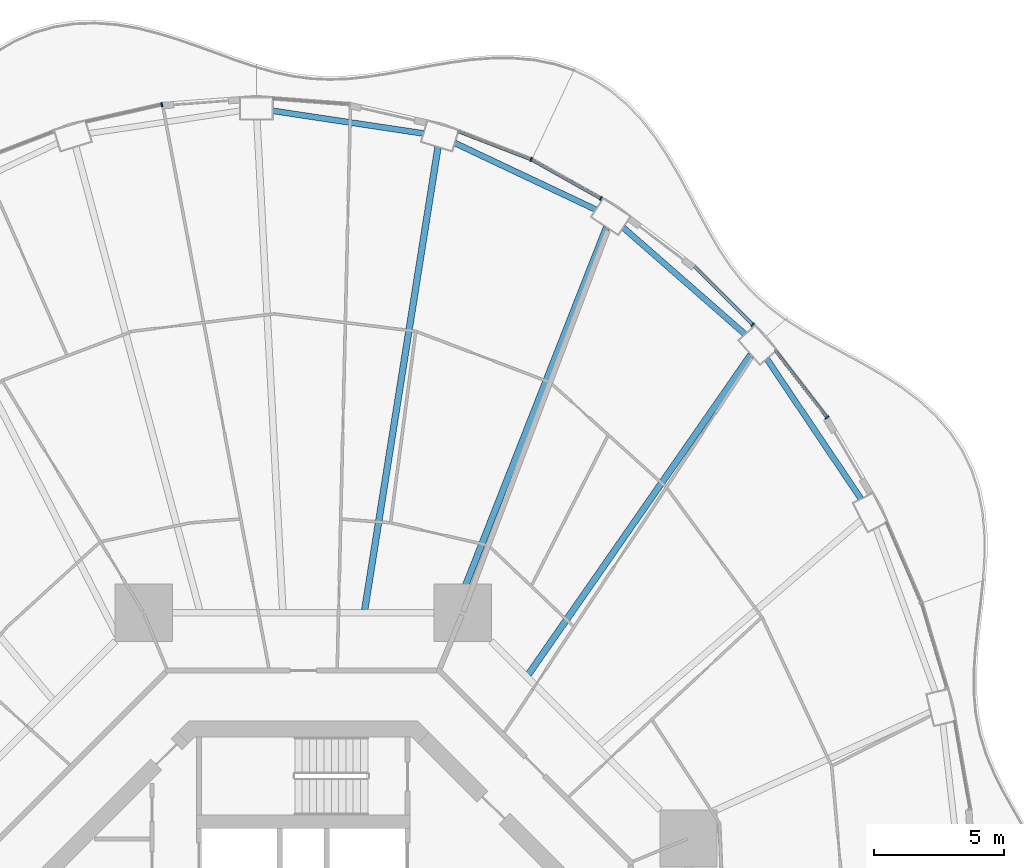
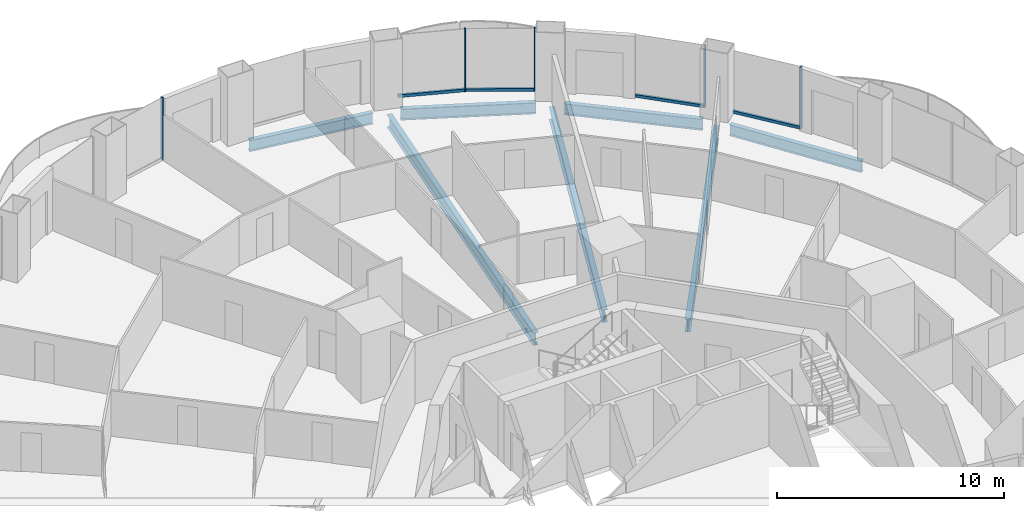
# One storey, part 11 of 23: 9 members, 7 beams, 5 elements without a shape of their own.
"""IFC4 building model written with IfcOpenShell, lengths in metres."""

from ifc_helpers import new_model, si_unit, direction, frame, origin, origin_2d, place, context, subcontext, project, spatial, rectangle, i_section, extrude, material, layer, layer_set, material_profile, profile_set, type_object, element, aggregate, save


model = new_model("IFC4")

# Units and contexts
model_context = context("Model", 3, precision=1e-05, world=origin(), true_north=direction((0.0, 1.0)))
body_context = subcontext(model_context, "Body", "Model", "MODEL_VIEW")
ifc_project = project(units=[si_unit("LENGTHUNIT", "METRE"), si_unit("AREAUNIT", "SQUARE_METRE"), si_unit("VOLUMEUNIT", "CUBIC_METRE"), si_unit("PLANEANGLEUNIT", "RADIAN"), si_unit("MASSUNIT", "GRAM", prefix="KILO")], contexts=[model_context])

# Site, building, storey
site_placement = place(None, origin())
site = spatial("IfcSite", under=ifc_project, at=site_placement, CompositionType="ELEMENT")
building_placement = place(site_placement, origin())
building = spatial("IfcBuilding", under=site, at=building_placement, Name="Nagisa Residences", CompositionType="ELEMENT")
storey_placement = place(building_placement, frame((0.0, 0.0, 110.300048828125)))
storey = spatial("IfcBuildingStorey", under=building, at=storey_placement, Name="L27", CompositionType="ELEMENT", Elevation=110.300048828125)

# Curtain wall, member
ifc_material_1 = material(Name="Concrete-coloured aluminium curtain wall system", Category="concrete")
ifc_layer = layer(ifc_material_1, 0.159912109375)
ifc_layer_set = layer_set([ifc_layer], Name="CW1 CURTAIN WALL")
curtain_wall_type = type_object("IfcCurtainWallType", Name="CW1 CURTAIN WALL", PredefinedType="NOTDEFINED", material=ifc_layer_set)
curtain_wall_1_placement = place(storey_placement, origin())
curtain_wall_1 = element("IfcCurtainWall", 1, at=curtain_wall_1_placement, inside=storey, type_object=curtain_wall_type, Name="cw:CW1:L27:05", PredefinedType="NOTDEFINED")
ifc_material_2 = material(Name="Concrete-coloured aluminium", Category="concrete")
ifc_material_profile_1 = material_profile(ifc_material_2, rectangle(XDim=0.159912109375, YDim=0.06005859375, at=origin_2d()), Name="CW1 MULLION 160x60")
ifc_profile_set_1 = profile_set([ifc_material_profile_1], Name="Concrete-coloured aluminium")
member_type_1 = type_object("IfcMemberType", Name="CW1 MULLION 160x60", PredefinedType="MULLION", material=ifc_profile_set_1)
member_1_placement = place(storey_placement, frame((20.09033203125, 22.27783203125, 0.0), z_axis=(0.0, 0.0, 1.0), x_axis=(-0.792070340816, -0.610429828235, 0.0)))
member_1 = element("IfcMember", 2, at=member_1_placement, type_object=member_type_1, Name="CW1 mullion", PredefinedType="MULLION", context=body_context, shape_type="SweptSolid", body=[
    extrude(rectangle(XDim=0.159912109375, YDim=0.06005859375, at=origin_2d()), origin(), (0.0, 0.0, 1.0), 3.349853515625),
])

curtain_wall_2_placement = place(storey_placement, origin())
curtain_wall_2 = element("IfcCurtainWall", 3, at=curtain_wall_2_placement, inside=storey, type_object=curtain_wall_type, Name="cw:CW1:L27:06", PredefinedType="NOTDEFINED")
member_2_placement = place(storey_placement, frame((17.24560546875, 25.825927734375, 0.0), z_axis=(0.0, 0.0, 1.0), x_axis=(-0.706376885714, -0.707835924016, 0.0)))
member_2 = element("IfcMember", 4, at=member_2_placement, type_object=member_type_1, Name="CW1 mullion", PredefinedType="MULLION", context=body_context, shape_type="SweptSolid", body=[
    extrude(rectangle(XDim=0.159912109375, YDim=0.06005859375, at=origin_2d()), origin(), (0.0, 0.0, 1.0), 3.349853515625),
])

curtain_wall_3_placement = place(storey_placement, origin())
curtain_wall_3 = element("IfcCurtainWall", 5, at=curtain_wall_3_placement, inside=storey, type_object=curtain_wall_type, Name="cw:CW1:L27:08", PredefinedType="NOTDEFINED")
member_3_placement = place(storey_placement, frame((11.415283203125, 30.673583984375, 0.0), z_axis=(0.0, 0.0, 1.0), x_axis=(-0.489376918501, -0.872072377523, 0.0)))
member_3 = element("IfcMember", 6, at=member_3_placement, type_object=member_type_1, Name="CW1 mullion", PredefinedType="MULLION", context=body_context, shape_type="SweptSolid", body=[
    extrude(rectangle(XDim=0.159912109375, YDim=0.06005859375, at=origin_2d()), origin(), (0.0, 0.0, 1.0), 3.349853515625),
])

curtain_wall_4_placement = place(storey_placement, origin())
curtain_wall_4 = element("IfcCurtainWall", 7, at=curtain_wall_4_placement, inside=storey, type_object=curtain_wall_type, Name="cw:CW1:L27:09", PredefinedType="NOTDEFINED")
member_4_placement = place(storey_placement, frame((8.74169921875, 32.169921875, 0.0), z_axis=(0.0, 0.0, 1.0), x_axis=(-0.360327770268, -0.932825759707, 0.0)))
member_4 = element("IfcMember", 8, at=member_4_placement, type_object=member_type_1, Name="CW1 mullion", PredefinedType="MULLION", context=body_context, shape_type="SweptSolid", body=[
    extrude(rectangle(XDim=0.159912109375, YDim=0.06005859375, at=origin_2d()), origin(), (0.0, 0.0, 1.0), 3.349853515625),
])

curtain_wall_5_placement = place(storey_placement, origin())
curtain_wall_5 = element("IfcCurtainWall", 9, at=curtain_wall_5_placement, inside=storey, type_object=curtain_wall_type, Name="cw:CW1:L27:13", PredefinedType="NOTDEFINED")
member_5_placement = place(storey_placement, frame((-5.426513671875, 34.2783203125, 0.0), z_axis=(0.0, 0.0, 1.0), x_axis=(0.2207639201, -0.975327274089, 0.0)))
member_5 = element("IfcMember", 10, at=member_5_placement, type_object=member_type_1, Name="CW1 mullion", PredefinedType="MULLION", context=body_context, shape_type="SweptSolid", body=[
    extrude(rectangle(XDim=0.159912109375, YDim=0.06005859375, at=origin_2d()), origin(), (0.0, 0.0, 1.0), 3.349853515625),
])
aggregate(curtain_wall_5, [member_5])

# Member
ifc_material_3 = material(Name="Concrete-coloured aluminium", Category="concrete")
ifc_material_profile_2 = material_profile(ifc_material_3, rectangle(XDim=0.1201171875, YDim=0.14990234375, at=origin_2d()), Name="CW1 TRANSOM 120x150")
ifc_profile_set_2 = profile_set([ifc_material_profile_2], Name="Concrete-coloured aluminium")
member_type_2 = type_object("IfcMemberType", Name="CW1 TRANSOM 120x150", PredefinedType="USERDEFINED", material=ifc_profile_set_2)
member_6_placement = place(storey_placement, frame((20.108642578125, 22.25390625, 0.074951171875), z_axis=(-0.610458970322, 0.792047880847, 0.0), x_axis=(-0.792047880847, -0.610458970322, 0.0)))
member_6 = element("IfcMember", 11, at=member_6_placement, type_object=member_type_2, Name="CW1 transom", ObjectType="TRANSOM", PredefinedType="USERDEFINED", context=body_context, shape_type="SweptSolid", body=[
    extrude(rectangle(XDim=0.1201171875, YDim=0.14990234375, at=origin_2d()), origin(), (0.0, 0.0, 1.0), 3.262939453125),
])

aggregate(curtain_wall_1, [member_1, member_6])

member_7_placement = place(storey_placement, frame((17.2666015625, 25.8046875, 0.074951171875), z_axis=(-0.707831724839, 0.70638109354, 0.0), x_axis=(-0.70638109354, -0.707831724839, 0.0)))
member_7 = element("IfcMember", 12, at=member_7_placement, type_object=member_type_2, Name="CW1 transom", ObjectType="TRANSOM", PredefinedType="USERDEFINED", context=body_context, shape_type="SweptSolid", body=[
    extrude(rectangle(XDim=0.1201171875, YDim=0.14990234375, at=origin_2d()), origin(), (0.0, 0.0, 1.0), 3.19775390625),
])

aggregate(curtain_wall_2, [member_2, member_7])

member_8_placement = place(storey_placement, frame((11.44140625, 30.65869140625, 0.074951171875), z_axis=(-0.872037280335, 0.489439456631, 0.0), x_axis=(-0.489439456631, -0.872037280335, 0.0)))
member_8 = element("IfcMember", 13, at=member_8_placement, type_object=member_type_2, Name="CW1 transom", ObjectType="TRANSOM", PredefinedType="USERDEFINED", context=body_context, shape_type="SweptSolid", body=[
    extrude(rectangle(XDim=0.1201171875, YDim=0.14990234375, at=origin_2d()), origin(), (0.0, 0.0, 1.0), 3.07568359375),
])

aggregate(curtain_wall_3, [member_3, member_8])

member_9_placement = place(storey_placement, frame((8.76953125, 32.1591796875, 0.074951171875), z_axis=(-0.932827091302, 0.360324322982, 0.0), x_axis=(-0.360324322982, -0.932827091302, 0.0)))
member_9 = element("IfcMember", 14, at=member_9_placement, type_object=member_type_2, Name="CW1 transom", ObjectType="TRANSOM", PredefinedType="USERDEFINED", context=body_context, shape_type="SweptSolid", body=[
    extrude(rectangle(XDim=0.1201171875, YDim=0.14990234375, at=origin_2d()), origin(), (0.0, 0.0, 1.0), 3.02734375),
])

aggregate(curtain_wall_4, [member_4, member_9])

# Beams
ifc_material_4 = material(Name="Steel ASTM A572 Gr 50", Category="steel")
ifc_material_profile_3 = material_profile(ifc_material_4, i_section(OverallWidth=0.22802734375, OverallDepth=0.60302734375, WebThickness=0.010498046875, FlangeThickness=0.014892578125, at=origin_2d()), Name="W610x101")
ifc_profile_set_3 = profile_set([ifc_material_profile_3], Name="Steel ASTM A572 Gr 50")
beam_type_1 = type_object("IfcBeamType", Name="Perimeter ring beam W610x101", PredefinedType="BEAM", material=ifc_profile_set_3)
beam_1_placement = place(storey_placement, frame((21.397216796875, 19.152099609375, -0.5615234375), z_axis=(-0.55824704812, 0.829674775599, 0.0), x_axis=(-0.829674775599, -0.55824704812, 0.0)))
element("IfcBeam", 15, at=beam_1_placement, inside=storey, type_object=beam_type_1, Name="beam:L27:pb03", PredefinedType="BEAM", context=body_context, shape_type="SweptSolid", body=[
    extrude(i_section(OverallWidth=0.22802734375, OverallDepth=0.60302734375, WebThickness=0.010498046875, FlangeThickness=0.014892578125, at=origin_2d()), origin(), (0.0, 0.0, 1.0), 6.4716796875),
])
beam_2_placement = place(storey_placement, frame((16.951416015625, 25.46728515625, -0.5615234375), z_axis=(-0.752525569707, 0.658563031863, 0.0), x_axis=(-0.658563031863, -0.752525569707, 0.0)))
element("IfcBeam", 16, at=beam_2_placement, inside=storey, type_object=beam_type_1, Name="beam:L27:pb04", PredefinedType="BEAM", context=body_context, shape_type="SweptSolid", body=[
    extrude(i_section(OverallWidth=0.22802734375, OverallDepth=0.60302734375, WebThickness=0.010498046875, FlangeThickness=0.014892578125, at=origin_2d()), origin(), (0.0, 0.0, 1.0), 6.21240234375),
])
beam_3_placement = place(storey_placement, frame((11.22216796875, 30.249267578125, -0.5615234375), z_axis=(-0.904196975776, 0.427115709144, 0.0), x_axis=(-0.427115709144, -0.904196975776, 0.0)))
element("IfcBeam", 17, at=beam_3_placement, inside=storey, type_object=beam_type_1, Name="beam:L27:pb05", PredefinedType="BEAM", context=body_context, shape_type="SweptSolid", body=[
    extrude(i_section(OverallWidth=0.22802734375, OverallDepth=0.60302734375, WebThickness=0.010498046875, FlangeThickness=0.014892578125, at=origin_2d()), origin(), (0.0, 0.0, 1.0), 5.980712890625),
])
beam_4_placement = place(storey_placement, frame((4.608642578125, 33.17041015625, -0.5615234375), z_axis=(-0.988913048607, 0.148495731568, 0.0), x_axis=(-0.148495731568, -0.988913048607, 0.0)))
element("IfcBeam", 18, at=beam_4_placement, inside=storey, type_object=beam_type_1, Name="beam:L27:pb06", PredefinedType="BEAM", context=body_context, shape_type="SweptSolid", body=[
    extrude(i_section(OverallWidth=0.22802734375, OverallDepth=0.60302734375, WebThickness=0.010498046875, FlangeThickness=0.014892578125, at=origin_2d()), origin(), (0.0, 0.0, 1.0), 5.843017578125),
])
ifc_material_5 = material(Name="Steel ASTM A572 Gr 50", Category="steel")
ifc_material_profile_4 = material_profile(ifc_material_5, i_section(OverallWidth=0.2529296875, OverallDepth=0.677978515625, WebThickness=0.01171875, FlangeThickness=0.016357421875, at=origin_2d()), Name="W690x125")
ifc_profile_set_4 = profile_set([ifc_material_profile_4], Name="Steel ASTM A572 Gr 50")
beam_type_2 = type_object("IfcBeamType", Name="Radial beam W690x125", PredefinedType="BEAM", material=ifc_profile_set_4)
beam_5_placement = place(storey_placement, frame((17.176513671875, 24.6845703125, -0.59912109375), z_axis=(-0.571167903467, -0.820833251062, 0.0), x_axis=(0.820833251062, -0.571167903467, 0.0)))
element("IfcBeam", 19, at=beam_5_placement, inside=storey, type_object=beam_type_2, Name="beam:L27:rb04", PredefinedType="BEAM", context=body_context, shape_type="SweptSolid", body=[
    extrude(i_section(OverallWidth=0.2529296875, OverallDepth=0.677978515625, WebThickness=0.01171875, FlangeThickness=0.016357421875, at=origin_2d()), origin(), (0.0, 0.0, 1.0), 14.93994140625),
])
beam_6_placement = place(storey_placement, frame((11.636474609375, 29.568359375, -0.59912109375), z_axis=(-0.366203217464, -0.930534901828, 0.0), x_axis=(0.930534901828, -0.366203217464, 0.0)))
element("IfcBeam", 20, at=beam_6_placement, inside=storey, type_object=beam_type_2, Name="beam:L27:rb05", PredefinedType="BEAM", context=body_context, shape_type="SweptSolid", body=[
    extrude(i_section(OverallWidth=0.2529296875, OverallDepth=0.677978515625, WebThickness=0.01171875, FlangeThickness=0.016357421875, at=origin_2d()), origin(), (0.0, 0.0, 1.0), 15.767578125),
])
beam_7_placement = place(storey_placement, frame((5.170654296875, 32.64697265625, -0.59912109375), z_axis=(-0.156426410961, -0.987689616202, 0.0), x_axis=(0.987689616202, -0.156426410961, 0.0)))
element("IfcBeam", 21, at=beam_7_placement, inside=storey, type_object=beam_type_2, Name="beam:L27:rb06", PredefinedType="BEAM", context=body_context, shape_type="SweptSolid", body=[
    extrude(i_section(OverallWidth=0.2529296875, OverallDepth=0.677978515625, WebThickness=0.01171875, FlangeThickness=0.016357421875, at=origin_2d()), origin(), (0.0, 0.0, 1.0), 17.973388671875),
])

save(model, "model.ifc")
